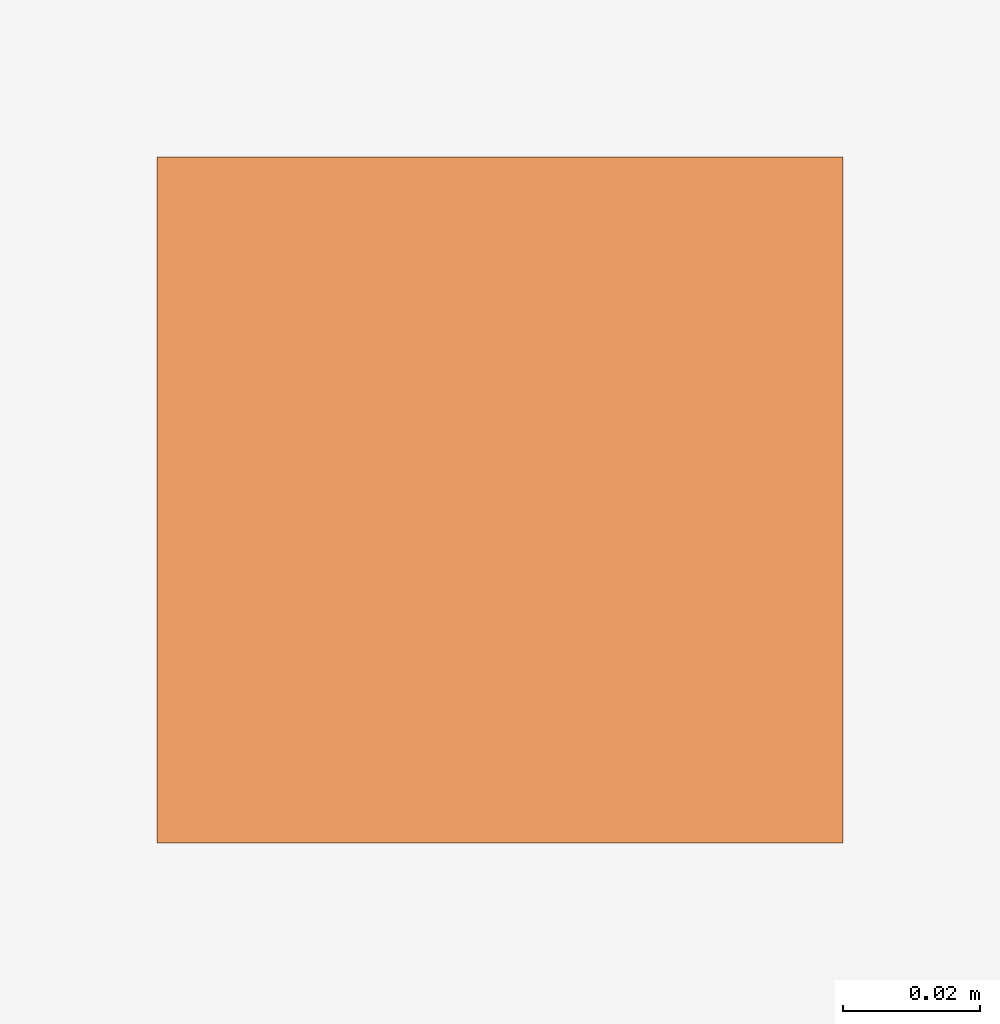
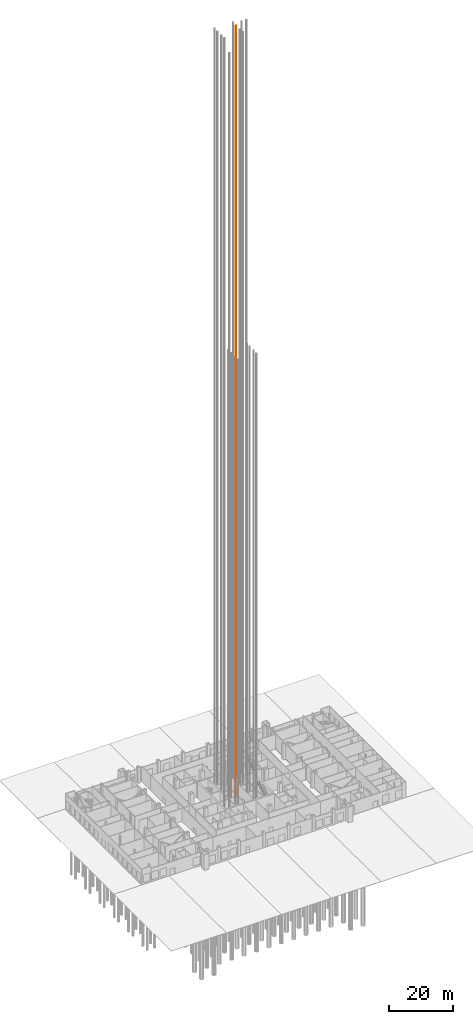
# One storey, part 33 of 36: 1 proxy.
"""IFC4 building model written with IfcOpenShell, lengths in metres."""

from ifc_helpers import new_model, si_unit, direction, frame, origin, origin_2d, place, context, subcontext, project, spatial, rectangle, extrude, material, type_object, element, save


model = new_model("IFC4")

# Units and contexts
model_context = context("Model", 3, precision=1e-05, world=origin(), true_north=direction((0.0, 1.0)))
body_context = subcontext(model_context, "Body", "Model", "MODEL_VIEW")
ifc_project = project(units=[si_unit("LENGTHUNIT", "METRE"), si_unit("AREAUNIT", "SQUARE_METRE"), si_unit("VOLUMEUNIT", "CUBIC_METRE"), si_unit("PLANEANGLEUNIT", "RADIAN"), si_unit("MASSUNIT", "GRAM", prefix="KILO")], contexts=[model_context])

# Site, building, storey
site_placement = place(None, origin())
site = spatial("IfcSite", under=ifc_project, at=site_placement, CompositionType="ELEMENT")
building_placement = place(site_placement, origin())
building = spatial("IfcBuilding", under=site, at=building_placement, Name="Malebo Sky Hospital", CompositionType="ELEMENT")
storey_placement = place(building_placement, origin())
storey = spatial("IfcBuildingStorey", under=building, at=storey_placement, Name="L00", CompositionType="ELEMENT", Elevation=0.0)

# Proxy
ifc_material = material(Name="Steel S355", Category="steel")
building_element_proxy_type = type_object("IfcBuildingElementProxyType", Name="LIFT GUIDE RAIL 100", PredefinedType="USERDEFINED", material=ifc_material)
proxy_placement = place(storey_placement, frame((63.35009765625, 67.52490234375, 0.0)))
element("IfcBuildingElementProxy", 1, at=proxy_placement, inside=storey, type_object=building_element_proxy_type, Name="Lift E4 guide rail 1", ObjectType="LIFT GUIDE RAIL", PredefinedType="USERDEFINED", context=body_context, shape_type="SweptSolid", body=[
    extrude(rectangle(XDim=0.10009765625, YDim=0.10009765625, at=origin_2d()), frame((0.0, 0.0, -2.25)), (0.0, 0.0, 1.0), 295.75),
])

save(model, "model.ifc")
